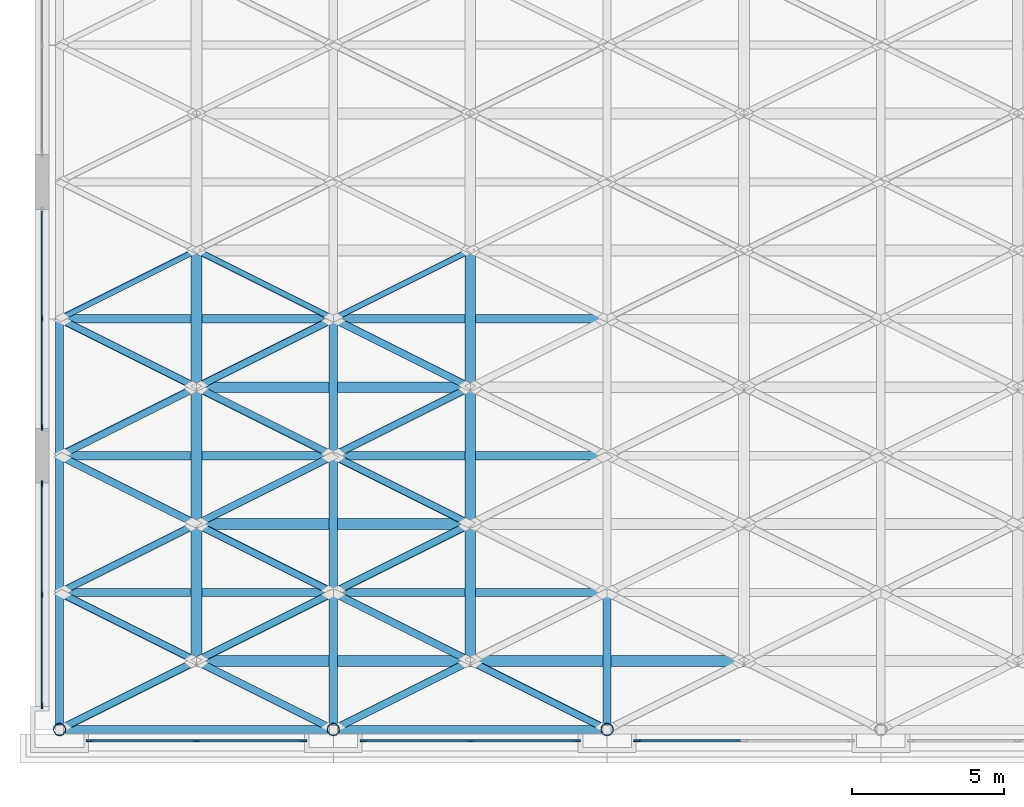
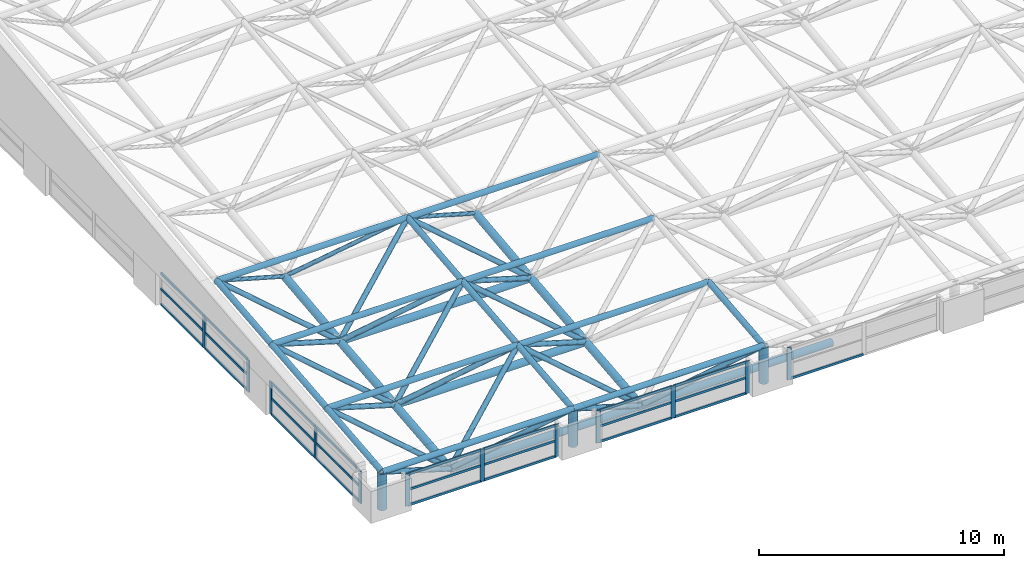
# One storey, part 2 of 53: 87 members, 5 elements without a shape of their own.
"""IFC4 building model written with IfcOpenShell, lengths in metres."""

from ifc_helpers import new_model, si_unit, direction, frame, origin, origin_2d, place, context, subcontext, project, spatial, rectangle, hollow_circle, extrude, material, material_profile, profile_set, type_object, element, aggregate, save


model = new_model("IFC4")

# Units and contexts
model_context = context("Model", 3, precision=1e-05, world=origin(), true_north=direction((0.0, 1.0)))
body_context = subcontext(model_context, "Body", "Model", "MODEL_VIEW")
ifc_project = project(units=[si_unit("LENGTHUNIT", "METRE"), si_unit("AREAUNIT", "SQUARE_METRE"), si_unit("VOLUMEUNIT", "CUBIC_METRE"), si_unit("PLANEANGLEUNIT", "RADIAN"), si_unit("MASSUNIT", "GRAM", prefix="KILO")], contexts=[model_context])

# Site, building, storey
site_placement = place(None, origin())
site = spatial("IfcSite", under=ifc_project, at=site_placement, CompositionType="ELEMENT")
building_placement = place(site_placement, origin())
building = spatial("IfcBuilding", under=site, at=building_placement, Name="Aravalli Gate Trade Fair Centre", CompositionType="ELEMENT")
storey_placement = place(building_placement, frame((0.0, 0.0, 25.199951171875)))
storey = spatial("IfcBuildingStorey", under=building, at=storey_placement, Name="ROOF LEVEL 2", CompositionType="ELEMENT", Elevation=25.199951171875)

# Members
ifc_material_1 = material(Name="Steel E350", Category="steel")
ifc_material_profile_1 = material_profile(ifc_material_1, hollow_circle(Radius=0.096923828125, WallThickness=0.00634765625, at=origin_2d()), Name="CHS 193.7x6.3")
ifc_profile_set_1 = profile_set([ifc_material_profile_1], Name="Steel E350")
member_type_1 = type_object("IfcMemberType", Name="CHS 193.7x6.3", PredefinedType="BRACE", material=ifc_profile_set_1)
for number, where, z_axis, x_axis, name in (
    (1, (6.0, 59.5, 3.150146484375), (0.786469857322, 0.393234928661, -0.476268258867), (-0.4472135955, 0.894427191, 0.0), "Space frame web diagonal D2A"),
    (2, (15.0, 59.5, 3.150146484375), (0.786469857322, 0.393234928661, -0.476268258867), (-0.4472135955, 0.894427191, 0.0), "Space frame web diagonal D2A"),
    (3, (15.0, 59.5, 3.150146484375), (-0.786469857322, 0.393234928661, -0.476268258867), (-0.4472135955, -0.894427191, 0.0), "Space frame web diagonal D2B"),
):
    element("IfcMember", number, at=place(storey_placement, frame(where, z_axis=z_axis, x_axis=x_axis)), inside=storey, type_object=member_type_1, Name=name, PredefinedType="BRACE", context=body_context, shape_type="SweptSolid", body=[
        extrude(hollow_circle(Radius=0.096923828125, WallThickness=0.00634765625, at=origin_2d()), origin(), (0.0, 0.0, 1.0), 5.7216796875),
    ])
ifc_material_profile_2 = material_profile(ifc_material_1, hollow_circle(Radius=0.122314453125, WallThickness=0.008056640625, at=origin_2d()), Name="CHS 244.5x8")
ifc_profile_set_2 = profile_set([ifc_material_profile_2], Name="Steel E350")
member_type_2 = type_object("IfcMemberType", Name="CHS 244.5x8", PredefinedType="BRACE", material=ifc_profile_set_2)
for number, where, z_axis, x_axis, name in (
    (4, (6.0, 46.0, 1.800048828125), (0.783200147531, 0.391600073766, -0.48295642778), (-0.4472135955, 0.894427191, 0.0), "Space frame web diagonal D1A"),
    (5, (15.0, 46.0, 1.800048828125), (0.783200147531, 0.391600073766, -0.48295642778), (-0.4472135955, 0.894427191, 0.0), "Space frame web diagonal D1A"),
    (6, (6.0, 50.5, 2.25), (0.783200147531, 0.391600073766, -0.48295642778), (-0.4472135955, 0.894427191, 0.0), "Space frame web diagonal D1A"),
    (7, (15.0, 50.5, 2.25), (0.783200147531, 0.391600073766, -0.48295642778), (-0.4472135955, 0.894427191, 0.0), "Space frame web diagonal D1A"),
    (8, (6.0, 55.0, 2.699951171875), (0.783200147531, 0.391600073766, -0.48295642778), (-0.4472135955, 0.894427191, 0.0), "Space frame web diagonal D1A"),
    (9, (15.0, 55.0, 2.699951171875), (0.783200147531, 0.391600073766, -0.48295642778), (-0.4472135955, 0.894427191, 0.0), "Space frame web diagonal D1A"),
    (10, (15.0, 46.0, 1.800048828125), (-0.783200147531, 0.391600073766, -0.48295642778), (-0.4472135955, -0.894427191, 0.0), "Space frame web diagonal D1B"),
    (11, (24.0, 46.0, 1.800048828125), (-0.783200147531, 0.391600073766, -0.48295642778), (-0.4472135955, -0.894427191, 0.0), "Space frame web diagonal D1B"),
    (12, (15.0, 50.5, 2.25), (-0.783200147531, 0.391600073766, -0.48295642778), (-0.4472135955, -0.894427191, 0.0), "Space frame web diagonal D1B"),
    (13, (15.0, 55.0, 2.699951171875), (-0.783200147531, 0.391600073766, -0.48295642778), (-0.4472135955, -0.894427191, 0.0), "Space frame web diagonal D1B"),
):
    element("IfcMember", number, at=place(storey_placement, frame(where, z_axis=z_axis, x_axis=x_axis)), inside=storey, type_object=member_type_2, Name=name, PredefinedType="BRACE", context=body_context, shape_type="SweptSolid", body=[
        extrude(hollow_circle(Radius=0.122314453125, WallThickness=0.008056640625, at=origin_2d()), origin(), (0.0, 0.0, 1.0), 5.74560546875),
    ])
for number, where, z_axis, x_axis, name in (
    (14, (6.0, 50.5, 2.25), (0.753016221047, -0.376508110523, -0.539637112837), (0.4472135955, 0.894427191, 0.0), "Space frame web diagonal D1C"),
    (15, (15.0, 50.5, 2.25), (0.753016221047, -0.376508110523, -0.539637112837), (0.4472135955, 0.894427191, 0.0), "Space frame web diagonal D1C"),
    (16, (6.0, 55.0, 2.699951171875), (0.753016221047, -0.376508110523, -0.539637112837), (0.4472135955, 0.894427191, 0.0), "Space frame web diagonal D1C"),
    (17, (15.0, 55.0, 2.699951171875), (0.753016221047, -0.376508110523, -0.539637112837), (0.4472135955, 0.894427191, 0.0), "Space frame web diagonal D1C"),
    (18, (6.0, 59.5, 3.150146484375), (0.752999619823, -0.376499809912, -0.539666068678), (0.4472135955, 0.894427191, 0.0), "Space frame web diagonal D1C"),
    (19, (15.0, 59.5, 3.150146484375), (0.752999619823, -0.376499809912, -0.539666068678), (0.4472135955, 0.894427191, 0.0), "Space frame web diagonal D1C"),
    (20, (15.0, 50.5, 2.25), (-0.753016221047, -0.376508110523, -0.539637112837), (0.4472135955, -0.894427191, 0.0), "Space frame web diagonal D1D"),
    (21, (15.0, 55.0, 2.699951171875), (-0.753016221047, -0.376508110523, -0.539637112837), (0.4472135955, -0.894427191, 0.0), "Space frame web diagonal D1D"),
    (22, (15.0, 59.5, 3.150146484375), (-0.752999619823, -0.376499809912, -0.539666068678), (0.4472135955, -0.894427191, 0.0), "Space frame web diagonal D1D"),
):
    element("IfcMember", number, at=place(storey_placement, frame(where, z_axis=z_axis, x_axis=x_axis)), inside=storey, type_object=member_type_2, Name=name, PredefinedType="BRACE", context=body_context, shape_type="SweptSolid", body=[
        extrude(hollow_circle(Radius=0.122314453125, WallThickness=0.008056640625, at=origin_2d()), origin(), (0.0, 0.0, 1.0), 5.97607421875),
    ])
ifc_material_profile_3 = material_profile(ifc_material_1, hollow_circle(Radius=0.136474609375, WallThickness=0.010009765625, at=origin_2d()), Name="CHS 273.1x10")
ifc_profile_set_3 = profile_set([ifc_material_profile_3], Name="Steel E350")
member_type_3 = type_object("IfcMemberType", Name="CHS 273.1x10", PredefinedType="CHORD", material=ifc_profile_set_3)
for number, where, z_axis, x_axis, name in (
    (23, (6.0, 50.5, 2.25), (1.0, 0.0, 0.0), (0.0, 1.0, 0.0), "Space frame top chord along the lines T1"),
    (24, (15.0, 50.5, 2.25), (1.0, 0.0, 0.0), (0.0, 1.0, 0.0), "Space frame top chord along the lines T1"),
    (25, (6.0, 55.0, 2.699951171875), (1.0, 0.0, 0.0), (0.0, 1.0, 0.0), "Space frame top chord along the lines T1"),
    (26, (15.0, 55.0, 2.699951171875), (1.0, 0.0, 0.0), (0.0, 1.0, 0.0), "Space frame top chord along the lines T1"),
    (27, (6.0, 59.5, 3.150146484375), (1.0, 0.0, 0.0), (0.0, 1.0, 0.0), "Space frame top chord along the lines T2"),
    (28, (15.0, 59.5, 3.150146484375), (1.0, 0.0, 0.0), (0.0, 1.0, 0.0), "Space frame top chord along the lines T2"),
):
    element("IfcMember", number, at=place(storey_placement, frame(where, z_axis=z_axis, x_axis=x_axis)), inside=storey, type_object=member_type_3, Name=name, PredefinedType="CHORD", context=body_context, shape_type="SweptSolid", body=[
        extrude(hollow_circle(Radius=0.136474609375, WallThickness=0.010009765625, at=origin_2d()), origin(), (0.0, 0.0, 1.0), 9.0),
    ])
for number, where, z_axis, x_axis, name in (
    (29, (15.0, 46.0, 1.800048828125), (0.0, 0.995038259148, 0.099493029059), (-1.0, 0.0, 0.0), "Space frame top chord across the vault Y1"),
    (30, (15.0, 50.5, 2.25), (0.0, 0.995038259148, 0.099493029059), (-1.0, 0.0, 0.0), "Space frame top chord across the vault Y1"),
    (31, (15.0, 55.0, 2.699951171875), (0.0, 0.995032913332, 0.099546478526), (-1.0, 0.0, 0.0), "Space frame top chord across the vault Y1"),
    (32, (24.0, 46.0, 1.800048828125), (0.0, 0.995038259148, 0.099493029059), (-1.0, 0.0, 0.0), "Space frame top chord across the vault Y1"),
):
    element("IfcMember", number, at=place(storey_placement, frame(where, z_axis=z_axis, x_axis=x_axis)), inside=storey, type_object=member_type_3, Name=name, PredefinedType="CHORD", context=body_context, shape_type="SweptSolid", body=[
        extrude(hollow_circle(Radius=0.136474609375, WallThickness=0.010009765625, at=origin_2d()), origin(), (0.0, 0.0, 1.0), 4.5224609375),
    ])
ifc_material_profile_4 = material_profile(ifc_material_1, hollow_circle(Radius=0.136474609375, WallThickness=0.01611328125, at=origin_2d()), Name="CHS 273.1x16")
ifc_profile_set_4 = profile_set([ifc_material_profile_4], Name="Steel E350")
member_type_4 = type_object("IfcMemberType", Name="CHS 273.1x16", PredefinedType="CHORD", material=ifc_profile_set_4)
for number, where, z_axis, x_axis, name in (
    (33, (6.0, 46.0, 1.800048828125), (1.0, 0.0, 0.0), (0.0, 1.0, 0.0), "Space frame top chord along the lines TE"),
    (34, (15.0, 46.0, 1.800048828125), (1.0, 0.0, 0.0), (0.0, 1.0, 0.0), "Space frame top chord along the lines TE"),
):
    element("IfcMember", number, at=place(storey_placement, frame(where, z_axis=z_axis, x_axis=x_axis)), inside=storey, type_object=member_type_4, Name=name, PredefinedType="CHORD", context=body_context, shape_type="SweptSolid", body=[
        extrude(hollow_circle(Radius=0.136474609375, WallThickness=0.01611328125, at=origin_2d()), origin(), (0.0, 0.0, 1.0), 9.0),
    ])
for number, where, z_axis, x_axis, name in (
    (35, (6.0, 46.0, 1.800048828125), (0.0, 0.995038259148, 0.099493029059), (-1.0, 0.0, 0.0), "Space frame edge chord at the end lines YE1"),
    (36, (6.0, 50.5, 2.25), (0.0, 0.995038259148, 0.099493029059), (-1.0, 0.0, 0.0), "Space frame edge chord at the end lines YE1"),
    (37, (6.0, 55.0, 2.699951171875), (0.0, 0.995032913332, 0.099546478526), (-1.0, 0.0, 0.0), "Space frame edge chord at the end lines YE1"),
):
    element("IfcMember", number, at=place(storey_placement, frame(where, z_axis=z_axis, x_axis=x_axis)), inside=storey, type_object=member_type_4, Name=name, PredefinedType="CHORD", context=body_context, shape_type="SweptSolid", body=[
        extrude(hollow_circle(Radius=0.136474609375, WallThickness=0.01611328125, at=origin_2d()), origin(), (0.0, 0.0, 1.0), 4.5224609375),
    ])
ifc_material_profile_5 = material_profile(ifc_material_1, hollow_circle(Radius=0.177734375, WallThickness=0.010009765625, at=origin_2d()), Name="CHS 355.6x10")
ifc_profile_set_5 = profile_set([ifc_material_profile_5], Name="Steel E350")
member_type_5 = type_object("IfcMemberType", Name="CHS 355.6x10", PredefinedType="CHORD", material=ifc_profile_set_5)
for number, where, z_axis, x_axis, name in (
    (38, (10.5, 52.75, -0.52490234375), (1.0, 0.0, 0.0), (0.0, 1.0, 0.0), "Space frame bottom chord along the lines B1"),
    (39, (10.5, 57.25, -0.074951171875), (1.0, 0.0, 0.0), (0.0, 1.0, 0.0), "Space frame bottom chord along the lines B1"),
):
    element("IfcMember", number, at=place(storey_placement, frame(where, z_axis=z_axis, x_axis=x_axis)), inside=storey, type_object=member_type_5, Name=name, PredefinedType="CHORD", context=body_context, shape_type="SweptSolid", body=[
        extrude(hollow_circle(Radius=0.177734375, WallThickness=0.010009765625, at=origin_2d()), origin(), (0.0, 0.0, 1.0), 9.0),
    ])
for number, where, z_axis, x_axis, name in (
    (40, (10.5, 48.25, -0.974853515625), (0.0, 0.995038259148, 0.099493029059), (-1.0, 0.0, 0.0), "Space frame bottom chord across the vault C1"),
    (41, (10.5, 52.75, -0.52490234375), (0.0, 0.995038259148, 0.099493029059), (-1.0, 0.0, 0.0), "Space frame bottom chord across the vault C1"),
    (42, (19.5, 48.25, -0.974853515625), (0.0, 0.995038259148, 0.099493029059), (-1.0, 0.0, 0.0), "Space frame bottom chord across the vault C1"),
    (43, (19.5, 52.75, -0.52490234375), (0.0, 0.995038259148, 0.099493029059), (-1.0, 0.0, 0.0), "Space frame bottom chord across the vault C1"),
):
    element("IfcMember", number, at=place(storey_placement, frame(where, z_axis=z_axis, x_axis=x_axis)), inside=storey, type_object=member_type_5, Name=name, PredefinedType="CHORD", context=body_context, shape_type="SweptSolid", body=[
        extrude(hollow_circle(Radius=0.177734375, WallThickness=0.010009765625, at=origin_2d()), origin(), (0.0, 0.0, 1.0), 4.5224609375),
    ])
for number, where, z_axis, x_axis, name in (
    (44, (10.5, 57.25, -0.074951171875), (0.0, 0.993883734674, 0.110431526075), (-1.0, 0.0, 0.0), "Space frame bottom chord across the vault C2"),
    (45, (19.5, 57.25, -0.074951171875), (0.0, 0.993883734674, 0.110431526075), (-1.0, 0.0, 0.0), "Space frame bottom chord across the vault C2"),
):
    element("IfcMember", number, at=place(storey_placement, frame(where, z_axis=z_axis, x_axis=x_axis)), inside=storey, type_object=member_type_5, Name=name, PredefinedType="CHORD", context=body_context, shape_type="SweptSolid", body=[
        extrude(hollow_circle(Radius=0.177734375, WallThickness=0.010009765625, at=origin_2d()), origin(), (0.0, 0.0, 1.0), 4.527587890625),
    ])
ifc_material_profile_6 = material_profile(ifc_material_1, hollow_circle(Radius=0.177734375, WallThickness=0.01611328125, at=origin_2d()), Name="CHS 355.6x16")
ifc_profile_set_6 = profile_set([ifc_material_profile_6], Name="Steel E350")
member_type_6 = type_object("IfcMemberType", Name="CHS 355.6x16", PredefinedType="CHORD", material=ifc_profile_set_6)
for number, where, z_axis, x_axis, name in (
    (46, (10.5, 48.25, -0.974853515625), (1.0, 0.0, 0.0), (0.0, 1.0, 0.0), "Space frame bottom chord along the lines BE"),
    (47, (19.5, 48.25, -0.974853515625), (1.0, 0.0, 0.0), (0.0, 1.0, 0.0), "Space frame bottom chord along the lines BE"),
):
    element("IfcMember", number, at=place(storey_placement, frame(where, z_axis=z_axis, x_axis=x_axis)), inside=storey, type_object=member_type_6, Name=name, PredefinedType="CHORD", context=body_context, shape_type="SweptSolid", body=[
        extrude(hollow_circle(Radius=0.177734375, WallThickness=0.01611328125, at=origin_2d()), origin(), (0.0, 0.0, 1.0), 9.0),
    ])
ifc_material_profile_7 = material_profile(ifc_material_1, hollow_circle(Radius=0.203125, WallThickness=0.01611328125, at=origin_2d()), Name="CHS 406.4x16")
ifc_profile_set_7 = profile_set([ifc_material_profile_7], Name="Steel E350")
member_type_7 = type_object("IfcMemberType", Name="CHS 406.4x16", PredefinedType="POST", material=ifc_profile_set_7)
for number, where, z_axis, x_axis, name in (
    (48, (6.0, 46.0, 0.0), (0.0, 0.0, 1.0), (1.0, 0.0, 0.0), "Space frame bearing post P1"),
    (49, (15.0, 46.0, 0.0), (0.0, 0.0, 1.0), (1.0, 0.0, 0.0), "Space frame bearing post P1"),
    (50, (24.0, 46.0, 0.0), (0.0, 0.0, 1.0), (1.0, 0.0, 0.0), "Space frame bearing post P1"),
):
    element("IfcMember", number, at=place(storey_placement, frame(where, z_axis=z_axis, x_axis=x_axis)), inside=storey, type_object=member_type_7, Name=name, PredefinedType="POST", context=body_context, shape_type="SweptSolid", body=[
        extrude(hollow_circle(Radius=0.203125, WallThickness=0.01611328125, at=origin_2d()), origin(), (0.0, 0.0, 1.0), 1.800048828125),
    ])

# Curtain wall, members
ifc_material_2 = material(Name="Aluminium, glass and louvre", Category="aluminium")
curtain_wall_type = type_object("IfcCurtainWallType", Name="Hall crown curtain wall 3000 module", PredefinedType="NOTDEFINED", material=ifc_material_2)
curtain_wall_1_placement = place(storey_placement, origin())
curtain_wall_1 = element("IfcCurtainWall", 51, at=curtain_wall_1_placement, inside=storey, type_object=curtain_wall_type, Name="Hall south crown curtain wall bay 1 ROOF LEVEL 2", PredefinedType="NOTDEFINED")
ifc_material_3 = material(Name="Aluminium", Category="aluminium")
ifc_material_profile_8 = material_profile(ifc_material_3, rectangle(XDim=0.06005859375, YDim=0.199951171875, at=origin_2d()), Name="Hall curtain wall mullion 60 x 200")
ifc_profile_set_8 = profile_set([ifc_material_profile_8], Name="Aluminium")
member_type_8 = type_object("IfcMemberType", Name="Hall curtain wall mullion 60 x 200", PredefinedType="MULLION", material=ifc_profile_set_8)
member_1_placement = place(storey_placement, frame((6.97998046875, 45.625, 0.0), z_axis=(0.0, 0.0, 1.0), x_axis=(0.0, 1.0, 0.0)))
member_1 = element("IfcMember", 52, at=member_1_placement, type_object=member_type_8, Name="HCW1 mullion 1", PredefinedType="MULLION", context=body_context, shape_type="SweptSolid", body=[
    extrude(rectangle(XDim=0.06005859375, YDim=0.199951171875, at=origin_2d()), origin(), (0.0, 0.0, 1.0), 1.60009765625),
])
member_2_placement = place(storey_placement, frame((10.5, 45.625, 0.0), z_axis=(0.0, 0.0, 1.0), x_axis=(0.0, 1.0, 0.0)))
member_2 = element("IfcMember", 53, at=member_2_placement, type_object=member_type_8, Name="HCW1 mullion 2", PredefinedType="MULLION", context=body_context, shape_type="SweptSolid", body=[
    extrude(rectangle(XDim=0.06005859375, YDim=0.199951171875, at=origin_2d()), origin(), (0.0, 0.0, 1.0), 1.60009765625),
])
member_3_placement = place(storey_placement, frame((14.02001953125, 45.625, 0.0), z_axis=(0.0, 0.0, 1.0), x_axis=(0.0, 1.0, 0.0)))
member_3 = element("IfcMember", 54, at=member_3_placement, type_object=member_type_8, Name="HCW1 mullion 3", PredefinedType="MULLION", context=body_context, shape_type="SweptSolid", body=[
    extrude(rectangle(XDim=0.06005859375, YDim=0.199951171875, at=origin_2d()), origin(), (0.0, 0.0, 1.0), 1.60009765625),
])

curtain_wall_2_placement = place(storey_placement, origin())
curtain_wall_2 = element("IfcCurtainWall", 55, at=curtain_wall_2_placement, inside=storey, type_object=curtain_wall_type, Name="Hall south crown curtain wall bay 2 ROOF LEVEL 2", PredefinedType="NOTDEFINED")
member_4_placement = place(storey_placement, frame((15.97998046875, 45.625, 0.0), z_axis=(0.0, 0.0, 1.0), x_axis=(0.0, 1.0, 0.0)))
member_4 = element("IfcMember", 56, at=member_4_placement, type_object=member_type_8, Name="HCW1 mullion 1", PredefinedType="MULLION", context=body_context, shape_type="SweptSolid", body=[
    extrude(rectangle(XDim=0.06005859375, YDim=0.199951171875, at=origin_2d()), origin(), (0.0, 0.0, 1.0), 1.60009765625),
])
member_5_placement = place(storey_placement, frame((19.5, 45.625, 0.0), z_axis=(0.0, 0.0, 1.0), x_axis=(0.0, 1.0, 0.0)))
member_5 = element("IfcMember", 57, at=member_5_placement, type_object=member_type_8, Name="HCW1 mullion 2", PredefinedType="MULLION", context=body_context, shape_type="SweptSolid", body=[
    extrude(rectangle(XDim=0.06005859375, YDim=0.199951171875, at=origin_2d()), origin(), (0.0, 0.0, 1.0), 1.60009765625),
])
member_6_placement = place(storey_placement, frame((23.02001953125, 45.625, 0.0), z_axis=(0.0, 0.0, 1.0), x_axis=(0.0, 1.0, 0.0)))
member_6 = element("IfcMember", 58, at=member_6_placement, type_object=member_type_8, Name="HCW1 mullion 3", PredefinedType="MULLION", context=body_context, shape_type="SweptSolid", body=[
    extrude(rectangle(XDim=0.06005859375, YDim=0.199951171875, at=origin_2d()), origin(), (0.0, 0.0, 1.0), 1.60009765625),
])

# Curtain wall, member
curtain_wall_3_placement = place(storey_placement, origin())
curtain_wall_3 = element("IfcCurtainWall", 59, at=curtain_wall_3_placement, inside=storey, type_object=curtain_wall_type, Name="Hall south crown curtain wall bay 3 ROOF LEVEL 2", PredefinedType="NOTDEFINED")
member_7_placement = place(storey_placement, frame((24.97998046875, 45.625, 0.0), z_axis=(0.0, 0.0, 1.0), x_axis=(0.0, 1.0, 0.0)))
member_7 = element("IfcMember", 60, at=member_7_placement, type_object=member_type_8, Name="HCW1 mullion 1", PredefinedType="MULLION", context=body_context, shape_type="SweptSolid", body=[
    extrude(rectangle(XDim=0.06005859375, YDim=0.199951171875, at=origin_2d()), origin(), (0.0, 0.0, 1.0), 1.60009765625),
])

# Curtain wall, members
curtain_wall_4_placement = place(storey_placement, origin())
curtain_wall_4 = element("IfcCurtainWall", 61, at=curtain_wall_4_placement, inside=storey, type_object=curtain_wall_type, Name="Hall west crown curtain wall 1 ROOF LEVEL 2", PredefinedType="NOTDEFINED")
member_8_placement = place(storey_placement, frame((5.425048828125, 46.780029296875, 0.0), z_axis=(0.0, 0.0, 1.0), x_axis=(-1.0, 0.0, 0.0)))
member_8 = element("IfcMember", 62, at=member_8_placement, type_object=member_type_8, Name="HCW1 mullion 1", PredefinedType="MULLION", context=body_context, shape_type="SweptSolid", body=[
    extrude(rectangle(XDim=0.06005859375, YDim=0.199951171875, at=origin_2d()), origin(), (0.0, 0.0, 1.0), 1.60009765625),
])
member_9_placement = place(storey_placement, frame((5.425048828125, 50.425048828125, 0.0), z_axis=(0.0, 0.0, 1.0), x_axis=(-1.0, 0.0, 0.0)))
member_9 = element("IfcMember", 63, at=member_9_placement, type_object=member_type_8, Name="HCW1 mullion 2", PredefinedType="MULLION", context=body_context, shape_type="SweptSolid", body=[
    extrude(rectangle(XDim=0.06005859375, YDim=0.199951171875, at=origin_2d()), origin(), (0.0, 0.0, 1.0), 1.60009765625),
])
member_10_placement = place(storey_placement, frame((5.425048828125, 54.070068359375, 0.0), z_axis=(0.0, 0.0, 1.0), x_axis=(-1.0, 0.0, 0.0)))
member_10 = element("IfcMember", 64, at=member_10_placement, type_object=member_type_8, Name="HCW1 mullion 3", PredefinedType="MULLION", context=body_context, shape_type="SweptSolid", body=[
    extrude(rectangle(XDim=0.06005859375, YDim=0.199951171875, at=origin_2d()), origin(), (0.0, 0.0, 1.0), 1.60009765625),
])

curtain_wall_5_placement = place(storey_placement, origin())
curtain_wall_5 = element("IfcCurtainWall", 65, at=curtain_wall_5_placement, inside=storey, type_object=curtain_wall_type, Name="Hall west crown curtain wall 2 ROOF LEVEL 2", PredefinedType="NOTDEFINED")
member_11_placement = place(storey_placement, frame((5.425048828125, 55.929931640625, 0.0), z_axis=(0.0, 0.0, 1.0), x_axis=(-1.0, 0.0, 0.0)))
member_11 = element("IfcMember", 66, at=member_11_placement, type_object=member_type_8, Name="HCW1 mullion 1", PredefinedType="MULLION", context=body_context, shape_type="SweptSolid", body=[
    extrude(rectangle(XDim=0.06005859375, YDim=0.199951171875, at=origin_2d()), origin(), (0.0, 0.0, 1.0), 1.60009765625),
])
member_12_placement = place(storey_placement, frame((5.425048828125, 59.5, 0.0), z_axis=(0.0, 0.0, 1.0), x_axis=(-1.0, 0.0, 0.0)))
member_12 = element("IfcMember", 67, at=member_12_placement, type_object=member_type_8, Name="HCW1 mullion 2", PredefinedType="MULLION", context=body_context, shape_type="SweptSolid", body=[
    extrude(rectangle(XDim=0.06005859375, YDim=0.199951171875, at=origin_2d()), origin(), (0.0, 0.0, 1.0), 1.60009765625),
])

# Member
ifc_material_profile_9 = material_profile(ifc_material_3, rectangle(XDim=0.06005859375, YDim=0.1201171875, at=origin_2d()), Name="Hall curtain wall transom 60 x 120")
ifc_profile_set_9 = profile_set([ifc_material_profile_9], Name="Aluminium")
member_type_9 = type_object("IfcMemberType", Name="Hall curtain wall transom 60 x 120", PredefinedType="USERDEFINED", material=ifc_profile_set_9)
member_13_placement = place(storey_placement, frame((7.010009765625, 45.625, 0.030029296875), z_axis=(1.0, 0.0, 0.0), x_axis=(0.0, 1.0, 0.0)))
member_13 = element("IfcMember", 68, at=member_13_placement, type_object=member_type_9, Name="HCW1 transom 1.1", ObjectType="TRANSOM", PredefinedType="USERDEFINED", context=body_context, shape_type="SweptSolid", body=[
    extrude(rectangle(XDim=0.06005859375, YDim=0.1201171875, at=origin_2d()), origin(), (0.0, 0.0, 1.0), 3.4599609375),
])

member_14_placement = place(storey_placement, frame((7.010009765625, 45.625, 0.800048828125), z_axis=(1.0, 0.0, 0.0), x_axis=(0.0, 1.0, 0.0)))
member_14 = element("IfcMember", 69, at=member_14_placement, type_object=member_type_9, Name="HCW1 transom 1.2", ObjectType="TRANSOM", PredefinedType="USERDEFINED", context=body_context, shape_type="SweptSolid", body=[
    extrude(rectangle(XDim=0.06005859375, YDim=0.1201171875, at=origin_2d()), origin(), (0.0, 0.0, 1.0), 3.4599609375),
])

member_15_placement = place(storey_placement, frame((7.010009765625, 45.625, 1.570068359375), z_axis=(1.0, 0.0, 0.0), x_axis=(0.0, 1.0, 0.0)))
member_15 = element("IfcMember", 70, at=member_15_placement, type_object=member_type_9, Name="HCW1 transom 1.3", ObjectType="TRANSOM", PredefinedType="USERDEFINED", context=body_context, shape_type="SweptSolid", body=[
    extrude(rectangle(XDim=0.06005859375, YDim=0.1201171875, at=origin_2d()), origin(), (0.0, 0.0, 1.0), 3.4599609375),
])

member_16_placement = place(storey_placement, frame((10.530029296875, 45.625, 0.030029296875), z_axis=(1.0, 0.0, 0.0), x_axis=(0.0, 1.0, 0.0)))
member_16 = element("IfcMember", 71, at=member_16_placement, type_object=member_type_9, Name="HCW1 transom 2.1", ObjectType="TRANSOM", PredefinedType="USERDEFINED", context=body_context, shape_type="SweptSolid", body=[
    extrude(rectangle(XDim=0.06005859375, YDim=0.1201171875, at=origin_2d()), origin(), (0.0, 0.0, 1.0), 3.4599609375),
])

member_17_placement = place(storey_placement, frame((10.530029296875, 45.625, 0.800048828125), z_axis=(1.0, 0.0, 0.0), x_axis=(0.0, 1.0, 0.0)))
member_17 = element("IfcMember", 72, at=member_17_placement, type_object=member_type_9, Name="HCW1 transom 2.2", ObjectType="TRANSOM", PredefinedType="USERDEFINED", context=body_context, shape_type="SweptSolid", body=[
    extrude(rectangle(XDim=0.06005859375, YDim=0.1201171875, at=origin_2d()), origin(), (0.0, 0.0, 1.0), 3.4599609375),
])

member_18_placement = place(storey_placement, frame((10.530029296875, 45.625, 1.570068359375), z_axis=(1.0, 0.0, 0.0), x_axis=(0.0, 1.0, 0.0)))
member_18 = element("IfcMember", 73, at=member_18_placement, type_object=member_type_9, Name="HCW1 transom 2.3", ObjectType="TRANSOM", PredefinedType="USERDEFINED", context=body_context, shape_type="SweptSolid", body=[
    extrude(rectangle(XDim=0.06005859375, YDim=0.1201171875, at=origin_2d()), origin(), (0.0, 0.0, 1.0), 3.4599609375),
])

aggregate(curtain_wall_1, [member_1, member_2, member_3, member_13, member_14, member_15, member_16, member_17, member_18])

member_19_placement = place(storey_placement, frame((16.010009765625, 45.625, 0.030029296875), z_axis=(1.0, 0.0, 0.0), x_axis=(0.0, 1.0, 0.0)))
member_19 = element("IfcMember", 74, at=member_19_placement, type_object=member_type_9, Name="HCW1 transom 1.1", ObjectType="TRANSOM", PredefinedType="USERDEFINED", context=body_context, shape_type="SweptSolid", body=[
    extrude(rectangle(XDim=0.06005859375, YDim=0.1201171875, at=origin_2d()), origin(), (0.0, 0.0, 1.0), 3.4599609375),
])

member_20_placement = place(storey_placement, frame((16.010009765625, 45.625, 0.800048828125), z_axis=(1.0, 0.0, 0.0), x_axis=(0.0, 1.0, 0.0)))
member_20 = element("IfcMember", 75, at=member_20_placement, type_object=member_type_9, Name="HCW1 transom 1.2", ObjectType="TRANSOM", PredefinedType="USERDEFINED", context=body_context, shape_type="SweptSolid", body=[
    extrude(rectangle(XDim=0.06005859375, YDim=0.1201171875, at=origin_2d()), origin(), (0.0, 0.0, 1.0), 3.4599609375),
])

member_21_placement = place(storey_placement, frame((16.010009765625, 45.625, 1.570068359375), z_axis=(1.0, 0.0, 0.0), x_axis=(0.0, 1.0, 0.0)))
member_21 = element("IfcMember", 76, at=member_21_placement, type_object=member_type_9, Name="HCW1 transom 1.3", ObjectType="TRANSOM", PredefinedType="USERDEFINED", context=body_context, shape_type="SweptSolid", body=[
    extrude(rectangle(XDim=0.06005859375, YDim=0.1201171875, at=origin_2d()), origin(), (0.0, 0.0, 1.0), 3.4599609375),
])

member_22_placement = place(storey_placement, frame((19.530029296875, 45.625, 0.030029296875), z_axis=(1.0, 0.0, 0.0), x_axis=(0.0, 1.0, 0.0)))
member_22 = element("IfcMember", 77, at=member_22_placement, type_object=member_type_9, Name="HCW1 transom 2.1", ObjectType="TRANSOM", PredefinedType="USERDEFINED", context=body_context, shape_type="SweptSolid", body=[
    extrude(rectangle(XDim=0.06005859375, YDim=0.1201171875, at=origin_2d()), origin(), (0.0, 0.0, 1.0), 3.4599609375),
])

member_23_placement = place(storey_placement, frame((19.530029296875, 45.625, 0.800048828125), z_axis=(1.0, 0.0, 0.0), x_axis=(0.0, 1.0, 0.0)))
member_23 = element("IfcMember", 78, at=member_23_placement, type_object=member_type_9, Name="HCW1 transom 2.2", ObjectType="TRANSOM", PredefinedType="USERDEFINED", context=body_context, shape_type="SweptSolid", body=[
    extrude(rectangle(XDim=0.06005859375, YDim=0.1201171875, at=origin_2d()), origin(), (0.0, 0.0, 1.0), 3.4599609375),
])

member_24_placement = place(storey_placement, frame((19.530029296875, 45.625, 1.570068359375), z_axis=(1.0, 0.0, 0.0), x_axis=(0.0, 1.0, 0.0)))
member_24 = element("IfcMember", 79, at=member_24_placement, type_object=member_type_9, Name="HCW1 transom 2.3", ObjectType="TRANSOM", PredefinedType="USERDEFINED", context=body_context, shape_type="SweptSolid", body=[
    extrude(rectangle(XDim=0.06005859375, YDim=0.1201171875, at=origin_2d()), origin(), (0.0, 0.0, 1.0), 3.4599609375),
])

aggregate(curtain_wall_2, [member_4, member_5, member_6, member_19, member_20, member_21, member_22, member_23, member_24])

member_25_placement = place(storey_placement, frame((25.010009765625, 45.625, 0.030029296875), z_axis=(1.0, 0.0, 0.0), x_axis=(0.0, 1.0, 0.0)))
member_25 = element("IfcMember", 80, at=member_25_placement, type_object=member_type_9, Name="HCW1 transom 1.1", ObjectType="TRANSOM", PredefinedType="USERDEFINED", context=body_context, shape_type="SweptSolid", body=[
    extrude(rectangle(XDim=0.06005859375, YDim=0.1201171875, at=origin_2d()), origin(), (0.0, 0.0, 1.0), 3.4599609375),
])

aggregate(curtain_wall_3, [member_7, member_25])

member_26_placement = place(storey_placement, frame((5.425048828125, 46.81005859375, 0.030029296875), z_axis=(0.0, 1.0, 0.0), x_axis=(-1.0, 0.0, 0.0)))
member_26 = element("IfcMember", 81, at=member_26_placement, type_object=member_type_9, Name="HCW1 transom 1.1", ObjectType="TRANSOM", PredefinedType="USERDEFINED", context=body_context, shape_type="SweptSolid", body=[
    extrude(rectangle(XDim=0.06005859375, YDim=0.1201171875, at=origin_2d()), origin(), (0.0, 0.0, 1.0), 3.5849609375),
])

member_27_placement = place(storey_placement, frame((5.425048828125, 46.81005859375, 0.800048828125), z_axis=(0.0, 1.0, 0.0), x_axis=(-1.0, 0.0, 0.0)))
member_27 = element("IfcMember", 82, at=member_27_placement, type_object=member_type_9, Name="HCW1 transom 1.2", ObjectType="TRANSOM", PredefinedType="USERDEFINED", context=body_context, shape_type="SweptSolid", body=[
    extrude(rectangle(XDim=0.06005859375, YDim=0.1201171875, at=origin_2d()), origin(), (0.0, 0.0, 1.0), 3.5849609375),
])

member_28_placement = place(storey_placement, frame((5.425048828125, 46.81005859375, 1.570068359375), z_axis=(0.0, 1.0, 0.0), x_axis=(-1.0, 0.0, 0.0)))
member_28 = element("IfcMember", 83, at=member_28_placement, type_object=member_type_9, Name="HCW1 transom 1.3", ObjectType="TRANSOM", PredefinedType="USERDEFINED", context=body_context, shape_type="SweptSolid", body=[
    extrude(rectangle(XDim=0.06005859375, YDim=0.1201171875, at=origin_2d()), origin(), (0.0, 0.0, 1.0), 3.5849609375),
])

member_29_placement = place(storey_placement, frame((5.425048828125, 50.455078125, 0.030029296875), z_axis=(0.0, 1.0, 0.0), x_axis=(-1.0, 0.0, 0.0)))
member_29 = element("IfcMember", 84, at=member_29_placement, type_object=member_type_9, Name="HCW1 transom 2.1", ObjectType="TRANSOM", PredefinedType="USERDEFINED", context=body_context, shape_type="SweptSolid", body=[
    extrude(rectangle(XDim=0.06005859375, YDim=0.1201171875, at=origin_2d()), origin(), (0.0, 0.0, 1.0), 3.5849609375),
])

member_30_placement = place(storey_placement, frame((5.425048828125, 50.455078125, 0.800048828125), z_axis=(0.0, 1.0, 0.0), x_axis=(-1.0, 0.0, 0.0)))
member_30 = element("IfcMember", 85, at=member_30_placement, type_object=member_type_9, Name="HCW1 transom 2.2", ObjectType="TRANSOM", PredefinedType="USERDEFINED", context=body_context, shape_type="SweptSolid", body=[
    extrude(rectangle(XDim=0.06005859375, YDim=0.1201171875, at=origin_2d()), origin(), (0.0, 0.0, 1.0), 3.5849609375),
])

member_31_placement = place(storey_placement, frame((5.425048828125, 50.455078125, 1.570068359375), z_axis=(0.0, 1.0, 0.0), x_axis=(-1.0, 0.0, 0.0)))
member_31 = element("IfcMember", 86, at=member_31_placement, type_object=member_type_9, Name="HCW1 transom 2.3", ObjectType="TRANSOM", PredefinedType="USERDEFINED", context=body_context, shape_type="SweptSolid", body=[
    extrude(rectangle(XDim=0.06005859375, YDim=0.1201171875, at=origin_2d()), origin(), (0.0, 0.0, 1.0), 3.5849609375),
])

aggregate(curtain_wall_4, [member_8, member_9, member_10, member_26, member_27, member_28, member_29, member_30, member_31])

member_32_placement = place(storey_placement, frame((5.425048828125, 55.9599609375, 0.030029296875), z_axis=(0.0, 1.0, 0.0), x_axis=(-1.0, 0.0, 0.0)))
member_32 = element("IfcMember", 87, at=member_32_placement, type_object=member_type_9, Name="HCW1 transom 1.1", ObjectType="TRANSOM", PredefinedType="USERDEFINED", context=body_context, shape_type="SweptSolid", body=[
    extrude(rectangle(XDim=0.06005859375, YDim=0.1201171875, at=origin_2d()), origin(), (0.0, 0.0, 1.0), 3.510009765625),
])

member_33_placement = place(storey_placement, frame((5.425048828125, 55.9599609375, 0.800048828125), z_axis=(0.0, 1.0, 0.0), x_axis=(-1.0, 0.0, 0.0)))
member_33 = element("IfcMember", 88, at=member_33_placement, type_object=member_type_9, Name="HCW1 transom 1.2", ObjectType="TRANSOM", PredefinedType="USERDEFINED", context=body_context, shape_type="SweptSolid", body=[
    extrude(rectangle(XDim=0.06005859375, YDim=0.1201171875, at=origin_2d()), origin(), (0.0, 0.0, 1.0), 3.510009765625),
])

member_34_placement = place(storey_placement, frame((5.425048828125, 55.9599609375, 1.570068359375), z_axis=(0.0, 1.0, 0.0), x_axis=(-1.0, 0.0, 0.0)))
member_34 = element("IfcMember", 89, at=member_34_placement, type_object=member_type_9, Name="HCW1 transom 1.3", ObjectType="TRANSOM", PredefinedType="USERDEFINED", context=body_context, shape_type="SweptSolid", body=[
    extrude(rectangle(XDim=0.06005859375, YDim=0.1201171875, at=origin_2d()), origin(), (0.0, 0.0, 1.0), 3.510009765625),
])

member_35_placement = place(storey_placement, frame((5.425048828125, 59.530029296875, 0.030029296875), z_axis=(0.0, 1.0, 0.0), x_axis=(-1.0, 0.0, 0.0)))
member_35 = element("IfcMember", 90, at=member_35_placement, type_object=member_type_9, Name="HCW1 transom 2.1", ObjectType="TRANSOM", PredefinedType="USERDEFINED", context=body_context, shape_type="SweptSolid", body=[
    extrude(rectangle(XDim=0.06005859375, YDim=0.1201171875, at=origin_2d()), origin(), (0.0, 0.0, 1.0), 3.510009765625),
])

member_36_placement = place(storey_placement, frame((5.425048828125, 59.530029296875, 0.800048828125), z_axis=(0.0, 1.0, 0.0), x_axis=(-1.0, 0.0, 0.0)))
member_36 = element("IfcMember", 91, at=member_36_placement, type_object=member_type_9, Name="HCW1 transom 2.2", ObjectType="TRANSOM", PredefinedType="USERDEFINED", context=body_context, shape_type="SweptSolid", body=[
    extrude(rectangle(XDim=0.06005859375, YDim=0.1201171875, at=origin_2d()), origin(), (0.0, 0.0, 1.0), 3.510009765625),
])

member_37_placement = place(storey_placement, frame((5.425048828125, 59.530029296875, 1.570068359375), z_axis=(0.0, 1.0, 0.0), x_axis=(-1.0, 0.0, 0.0)))
member_37 = element("IfcMember", 92, at=member_37_placement, type_object=member_type_9, Name="HCW1 transom 2.3", ObjectType="TRANSOM", PredefinedType="USERDEFINED", context=body_context, shape_type="SweptSolid", body=[
    extrude(rectangle(XDim=0.06005859375, YDim=0.1201171875, at=origin_2d()), origin(), (0.0, 0.0, 1.0), 3.510009765625),
])

aggregate(curtain_wall_5, [member_11, member_12, member_32, member_33, member_34, member_35, member_36, member_37])

save(model, "model.ifc")
